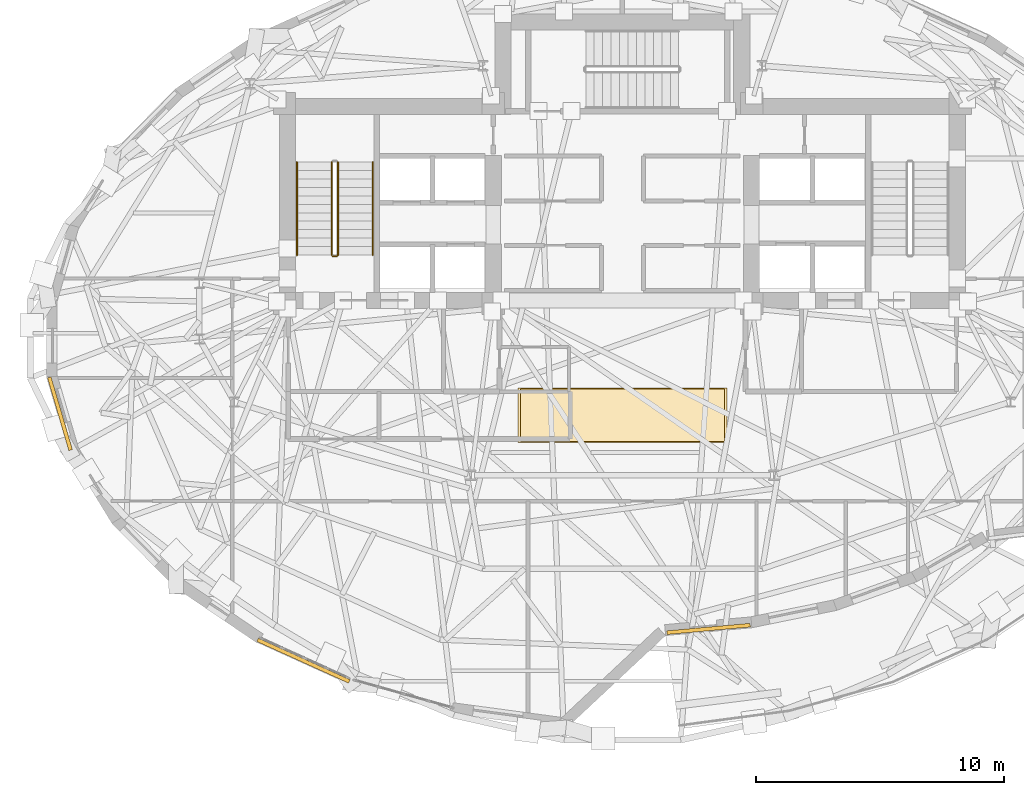
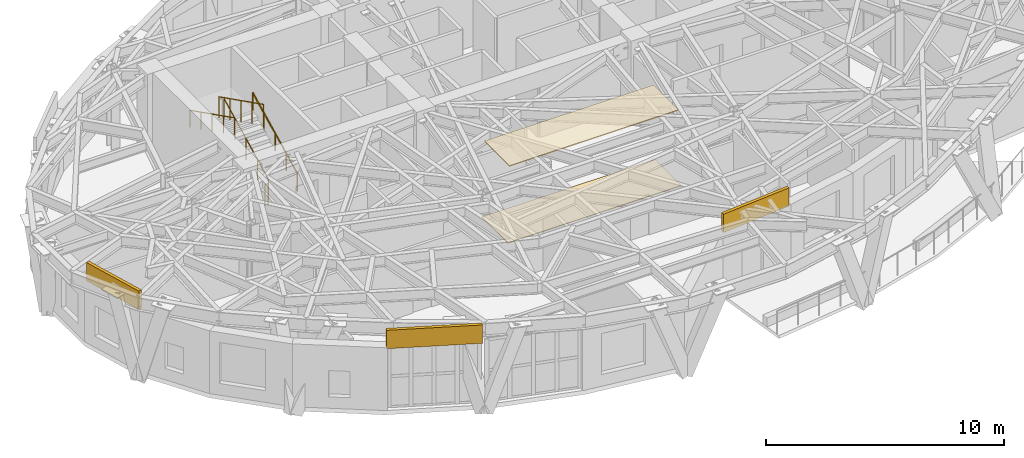
# One storey, part 13 of 15: 5 coverings, 5 railings.
"""IFC4 building model written with IfcOpenShell, lengths in metres."""

from ifc_helpers import new_model, si_unit, direction, frame, origin, origin_2d, place, context, subcontext, project, spatial, rectangle, circle, extrude, material, layer, layer_set, type_object, element, save


model = new_model("IFC4")

# Units and contexts
model_context = context("Model", 3, precision=1e-05, world=origin(), true_north=direction((0.0, 1.0)))
body_context = subcontext(model_context, "Body", "Model", "MODEL_VIEW")
ifc_project = project(units=[si_unit("LENGTHUNIT", "METRE"), si_unit("AREAUNIT", "SQUARE_METRE"), si_unit("VOLUMEUNIT", "CUBIC_METRE"), si_unit("PLANEANGLEUNIT", "RADIAN"), si_unit("MASSUNIT", "GRAM", prefix="KILO")], contexts=[model_context])

# Site, building, storey
site_placement = place(None, origin())
site = spatial("IfcSite", under=ifc_project, at=site_placement, CompositionType="ELEMENT")
building_placement = place(site_placement, origin())
building = spatial("IfcBuilding", under=site, at=building_placement, Name="Keldmark Tower", CompositionType="ELEMENT")
storey_placement = place(building_placement, frame((0.0, 0.0, 205.89990234375)))
storey = spatial("IfcBuildingStorey", under=building, at=storey_placement, Name="L57", CompositionType="ELEMENT", Elevation=205.89990234375)

# Coverings
ifc_material_1 = material(Name="Honed Kasota Buff Dolomitic Limestone", Category="masonry")
ifc_layer_1 = layer(ifc_material_1, 0.074951171875)
ifc_layer_set_1 = layer_set([ifc_layer_1], Name="Honed Kasota Buff Dolomitic Limestone")
covering_type_1 = type_object("IfcCoveringType", Name="Kasota Buff Limestone Spandrel Cladding Band", PredefinedType="CLADDING", material=ifc_layer_set_1)
covering_1_placement = place(storey_placement, frame((-22.63671875, -3.03662109375, 3.13916015625), z_axis=(0.0, 0.0, 1.0), x_axis=(0.281470694936, -0.959569824396, 0.0)))
element("IfcCovering", 1, at=covering_1_placement, inside=storey, type_object=covering_type_1, Name="L57 Kasota Limestone Spandrel Band 17", PredefinedType="CLADDING", context=body_context, shape_type="SweptSolid", body=[
    extrude(rectangle(XDim=3.0458984375, YDim=0.14990234375, at=origin_2d()), origin(), (0.0, 0.0, 1.0), 0.94091796875),
])
covering_2_placement = place(storey_placement, frame((-12.837158203125, -12.973876953125, 3.13916015625), z_axis=(0.0, 0.0, 1.0), x_axis=(0.910863824921, -0.412707029804, 0.0)))
element("IfcCovering", 2, at=covering_2_placement, inside=storey, type_object=covering_type_1, Name="L57 Kasota Limestone Spandrel Band 21", PredefinedType="CLADDING", context=body_context, shape_type="SweptSolid", body=[
    extrude(rectangle(XDim=4.049560546875, YDim=0.14990234375, at=origin_2d()), origin(), (0.0, 0.0, 1.0), 0.94091796875),
])
covering_3_placement = place(storey_placement, frame((3.46484375, -11.697509765625, 3.13916015625), z_axis=(0.0, 0.0, 1.0), x_axis=(0.99597876276, 0.08958964299, 0.0)))
element("IfcCovering", 3, at=covering_3_placement, inside=storey, type_object=covering_type_1, Name="L57 Kasota Limestone Spandrel Band 25", PredefinedType="CLADDING", context=body_context, shape_type="SweptSolid", body=[
    extrude(rectangle(XDim=3.368408203125, YDim=0.14990234375, at=origin_2d()), origin(), (0.0, 0.0, 1.0), 0.94091796875),
])

# Railings
ifc_material_2 = material(Name="Painted Steel ASTM A500 Grade B", Category="steel")
railing_type_1 = type_object("IfcRailingType", Name="Painted Steel Stair Well Guard 1100 mm", PredefinedType="GUARDRAIL", material=ifc_material_2)
railing_1_placement = place(storey_placement, frame((-11.449951171875, 3.35009765625, 0.1708984375)))
element("IfcRailing", 4, at=railing_1_placement, inside=storey, type_object=railing_type_1, Name="L57 ST1 stair guard 1", PredefinedType="GUARDRAIL", context=body_context, shape_type="SweptSolid", body=[
    extrude(circle(Radius=0.02392578125, at=origin_2d()), frame((0.0, 0.0, 1.076171875), z_axis=(0.0, 0.893550535824, 0.448962626427), x_axis=(-1.0, 0.0, 0.0)), (0.0, 0.0, 1.0), 4.185546875),
    extrude(circle(Radius=0.02099609375, at=origin_2d()), origin(), (0.0, 0.0, 1.0), 1.052001953125),
    extrude(circle(Radius=0.02099609375, at=origin_2d()), frame((0.0, 0.93505859375, 0.4697265625)), (0.0, 0.0, 1.0), 1.052001953125),
    extrude(circle(Radius=0.02099609375, at=origin_2d()), frame((0.0, 1.8701171875, 0.939453125)), (0.0, 0.0, 1.0), 1.052001953125),
    extrude(circle(Radius=0.02099609375, at=origin_2d()), frame((0.0, 2.804931640625, 1.409423828125)), (0.0, 0.0, 1.0), 1.052001953125),
    extrude(circle(Radius=0.02099609375, at=origin_2d()), frame((0.0, 3.739990234375, 1.879150390625)), (0.0, 0.0, 1.0), 1.052001953125),
])
railing_2_placement = place(storey_placement, frame((-11.699951171875, 7.090087890625, 2.220947265625)))
element("IfcRailing", 5, at=railing_2_placement, inside=storey, type_object=railing_type_1, Name="L57 ST1 stair guard 3", PredefinedType="GUARDRAIL", context=body_context, shape_type="SweptSolid", body=[
    extrude(circle(Radius=0.02392578125, at=origin_2d()), frame((0.0, 0.0, 1.076171875), z_axis=(0.0, -0.893550535824, 0.448962626427), x_axis=(1.0, 0.0, 0.0)), (0.0, 0.0, 1.0), 4.185546875),
    extrude(circle(Radius=0.02099609375, at=origin_2d()), origin(), (0.0, 0.0, 1.0), 1.052001953125),
    extrude(circle(Radius=0.02099609375, at=origin_2d()), frame((0.0, -0.93505859375, 0.4697265625)), (0.0, 0.0, 1.0), 1.052001953125),
    extrude(circle(Radius=0.02099609375, at=origin_2d()), frame((0.0, -1.8701171875, 0.939453125)), (0.0, 0.0, 1.0), 1.052001953125),
    extrude(circle(Radius=0.02099609375, at=origin_2d()), frame((0.0, -2.804931640625, 1.409423828125)), (0.0, 0.0, 1.0), 1.052001953125),
    extrude(circle(Radius=0.02099609375, at=origin_2d()), frame((0.0, -3.739990234375, 1.879150390625)), (0.0, 0.0, 1.0), 1.052001953125),
])
railing_3_placement = place(storey_placement, frame((-11.5, 3.300048828125, 0.0)))
element("IfcRailing", 6, at=railing_3_placement, inside=storey, type_object=railing_type_1, Name="L57 ST1 stair guard 4", PredefinedType="GUARDRAIL", context=body_context, shape_type="SweptSolid", body=[
    extrude(circle(Radius=0.02392578125, at=origin_2d()), frame((0.0, 0.0, 1.076171875), z_axis=(-1.0, 0.0, 0.0), x_axis=(0.0, -1.0, 0.0)), (0.0, 0.0, 1.0), 0.14990234375),
    extrude(circle(Radius=0.02099609375, at=origin_2d()), origin(), (0.0, 0.0, 1.0), 1.052001953125),
    extrude(circle(Radius=0.02099609375, at=origin_2d()), frame((-0.14990234375, 0.0, 0.0)), (0.0, 0.0, 1.0), 1.052001953125),
])
ifc_material_3 = material(Name="Stainless Steel AISI 316L", Category="steel")
railing_type_2 = type_object("IfcRailingType", Name="Stainless Steel Stair Handrail 900 mm", PredefinedType="HANDRAIL", material=ifc_material_3)
railing_4_placement = place(storey_placement, frame((-10.050048828125, 3.35009765625, 0.1708984375)))
element("IfcRailing", 7, at=railing_4_placement, inside=storey, type_object=railing_type_2, Name="L57 ST1 stair handrail 1", PredefinedType="HANDRAIL", context=body_context, shape_type="SweptSolid", body=[
    extrude(circle(Radius=0.02392578125, at=origin_2d()), frame((0.0, 0.0, 0.8759765625), z_axis=(0.0, 0.893550535824, 0.448962626427), x_axis=(-1.0, 0.0, 0.0)), (0.0, 0.0, 1.0), 4.185546875),
    extrude(circle(Radius=0.02099609375, at=origin_2d()), origin(), (0.0, 0.0, 1.0), 0.851806640625),
    extrude(circle(Radius=0.02099609375, at=origin_2d()), frame((0.0, 0.93505859375, 0.4697265625)), (0.0, 0.0, 1.0), 0.851806640625),
    extrude(circle(Radius=0.02099609375, at=origin_2d()), frame((0.0, 1.8701171875, 0.939453125)), (0.0, 0.0, 1.0), 0.851806640625),
    extrude(circle(Radius=0.02099609375, at=origin_2d()), frame((0.0, 2.804931640625, 1.409423828125)), (0.0, 0.0, 1.0), 0.851806640625),
    extrude(circle(Radius=0.02099609375, at=origin_2d()), frame((0.0, 3.739990234375, 1.879150390625)), (0.0, 0.0, 1.0), 0.851806640625),
])
railing_5_placement = place(storey_placement, frame((-13.10009765625, 7.090087890625, 2.220947265625)))
element("IfcRailing", 8, at=railing_5_placement, inside=storey, type_object=railing_type_2, Name="L57 ST1 stair handrail 2", PredefinedType="HANDRAIL", context=body_context, shape_type="SweptSolid", body=[
    extrude(circle(Radius=0.02392578125, at=origin_2d()), frame((0.0, 0.0, 0.8759765625), z_axis=(0.0, -0.893550535824, 0.448962626427), x_axis=(1.0, 0.0, 0.0)), (0.0, 0.0, 1.0), 4.185546875),
    extrude(circle(Radius=0.02099609375, at=origin_2d()), origin(), (0.0, 0.0, 1.0), 0.851806640625),
    extrude(circle(Radius=0.02099609375, at=origin_2d()), frame((0.0, -0.93505859375, 0.4697265625)), (0.0, 0.0, 1.0), 0.851806640625),
    extrude(circle(Radius=0.02099609375, at=origin_2d()), frame((0.0, -1.8701171875, 0.939453125)), (0.0, 0.0, 1.0), 0.851806640625),
    extrude(circle(Radius=0.02099609375, at=origin_2d()), frame((0.0, -2.804931640625, 1.409423828125)), (0.0, 0.0, 1.0), 0.851806640625),
    extrude(circle(Radius=0.02099609375, at=origin_2d()), frame((0.0, -3.739990234375, 1.879150390625)), (0.0, 0.0, 1.0), 0.851806640625),
])

# Coverings
ifc_material_4 = material(Name="Perforated Acoustic Gypsum and Recycled Mineral Wool", Category="gypsum")
ifc_layer_2 = layer(ifc_material_4, 0.044921875)
ifc_layer_set_2 = layer_set([ifc_layer_2], Name="Perforated Acoustic Gypsum and Recycled Mineral Wool")
covering_type_2 = type_object("IfcCoveringType", Name="Suspended Acoustic Mineral-Fiber Ceiling 45 mm", PredefinedType="CEILING", material=ifc_layer_set_2)
covering_4_placement = place(storey_placement, frame((0.0, -3.10009765625, 3.875244140625), z_axis=(0.0, 0.0, 1.0), x_axis=(1.0, 0.0, 0.0)))
element("IfcCovering", 9, at=covering_4_placement, inside=storey, type_object=covering_type_2, Name="L57 Lift Lobby Acoustic Ceiling", PredefinedType="CEILING", context=body_context, shape_type="SweptSolid", body=[
    extrude(rectangle(XDim=8.199951171875, YDim=2.10009765625, at=origin_2d()), origin(), (0.0, 0.0, 1.0), 0.044921875),
])
ifc_material_5 = material(Name="Honed Minnesota Dolomitic Limestone Epoxy Terrazzo", Category="masonry")
ifc_layer_3 = layer(ifc_material_5, 0.034912109375)
ifc_layer_set_3 = layer_set([ifc_layer_3], Name="Honed Minnesota Dolomitic Limestone Epoxy Terrazzo")
covering_type_3 = type_object("IfcCoveringType", Name="Terrazzo Public Lobby Flooring 35 mm", PredefinedType="FLOORING", material=ifc_layer_set_3)
covering_5_placement = place(storey_placement, frame((0.0, -3.10009765625, 0.0), z_axis=(0.0, 0.0, 1.0), x_axis=(1.0, 0.0, 0.0)))
element("IfcCovering", 10, at=covering_5_placement, inside=storey, type_object=covering_type_3, Name="L57 Lift Lobby Finish Flooring", PredefinedType="FLOORING", context=body_context, shape_type="SweptSolid", body=[
    extrude(rectangle(XDim=8.39990234375, YDim=2.199951171875, at=origin_2d()), origin(), (0.0, 0.0, 1.0), 0.030029296875),
])

save(model, "model.ifc")
